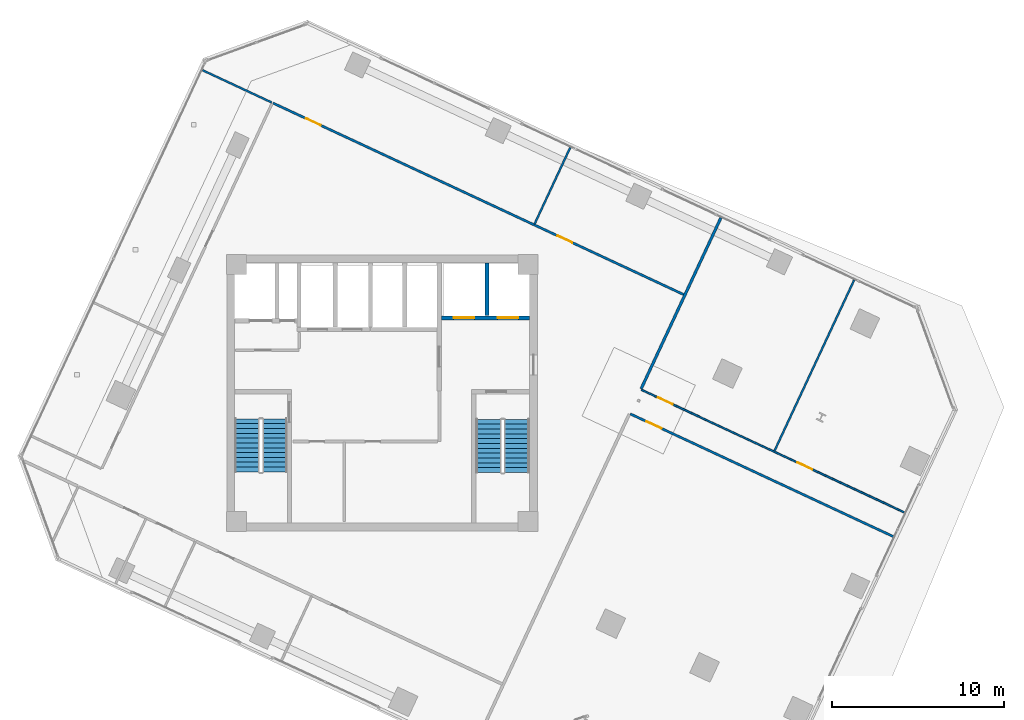
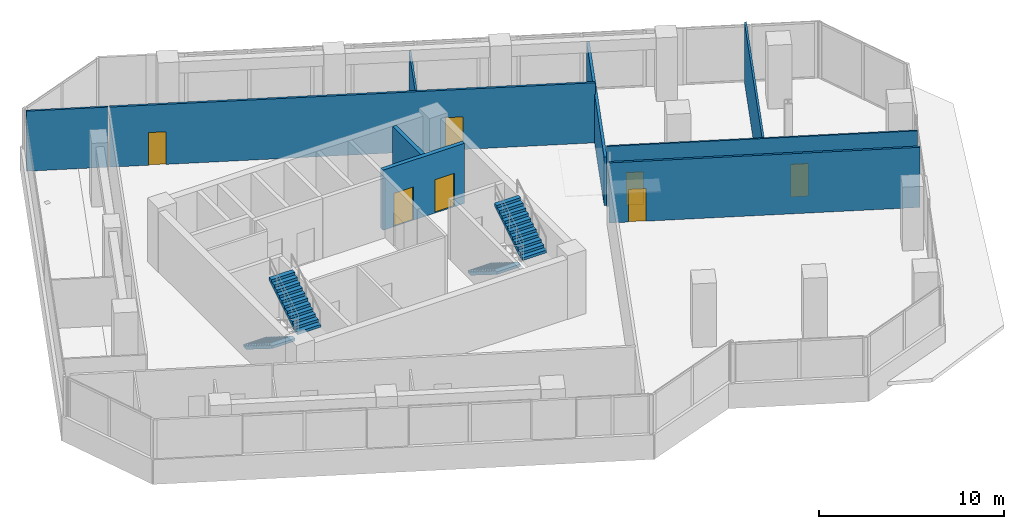
# One storey, part 18 of 23: 9 walls, 7 doors, 4 stair flights, 7 openings, 2 elements without a shape of their own.
"""IFC4 building model written with IfcOpenShell, lengths in metres."""

from ifc_helpers import new_model, si_unit, direction, frame, frame_2d, origin, place, context, subcontext, project, spatial, polyline, rectangle, outline, extrude, source, transform, mapped, material, layer, layer_set, type_object, element, fill, aggregate, save


model = new_model("IFC4")

# Units and contexts
model_context = context("Model", 3, precision=1e-05, world=origin(), true_north=direction((0.0, 1.0)))
body_context = subcontext(model_context, "Body", "Model", "MODEL_VIEW")
ifc_project = project(units=[si_unit("LENGTHUNIT", "METRE"), si_unit("AREAUNIT", "SQUARE_METRE"), si_unit("VOLUMEUNIT", "CUBIC_METRE"), si_unit("PLANEANGLEUNIT", "RADIAN"), si_unit("MASSUNIT", "GRAM", prefix="KILO")], contexts=[model_context])

# Site, building, storey
site_placement = place(None, origin())
site = spatial("IfcSite", under=ifc_project, at=site_placement, CompositionType="ELEMENT")
building_placement = place(site_placement, origin())
building = spatial("IfcBuilding", under=site, at=building_placement, Name="Torre Montelarca", CompositionType="ELEMENT")
storey_placement = place(building_placement, frame((0.0, 0.0, 154.0)))
storey = spatial("IfcBuildingStorey", under=building, at=storey_placement, Name="L34", CompositionType="ELEMENT", Elevation=154.0)

# Wall, openings, doors
ifc_material_1 = material(Name="Concrete C40/50", Category="concrete")
ifc_layer_1 = layer(ifc_material_1, 0.25, Name="Concrete C40/50", Category="concrete")
ifc_layer_set_1 = layer_set([ifc_layer_1], Name="Concrete C40/50")
wall_type_1 = type_object("IfcWallType", Name="CW-SHAFT-250", PredefinedType="SHEAR", material=ifc_layer_set_1)
wall_1_placement = place(storey_placement, frame((21.449951171875, 36.35009765625, 0.0), z_axis=(0.0, 0.0, 1.0), x_axis=(1.0, 0.0, 0.0)))
wall_1 = element("IfcWall", 1, at=wall_1_placement, inside=storey, type_object=wall_type_1, Name="L34 Core Shear Wall SH-FF-S", PredefinedType="SHEAR", context=body_context, shape_type="SweptSolid", body=[
    extrude(rectangle(XDim=5.090087890625, YDim=0.25, at=frame_2d((2.544921875, 0.0))), origin(), (0.0, 0.0, 1.0), 3.9599609375),
])
opening_1_placement = place(wall_1_placement, frame((0.699951171875, 0.0, 0.0)))
opening_1 = element("IfcOpeningElement", 2, at=opening_1_placement, cuts=wall_1, Name="Opening LD-120", PredefinedType="OPENING", context=body_context, shape_type="SweptSolid", body=[
    extrude(rectangle(XDim=1.199951171875, YDim=2.199951171875, at=frame_2d((0.60009765625, 1.10009765625))), frame((0.0, 0.135009765625, 0.0), z_axis=(0.0, -1.0, 0.0), x_axis=(1.0, 0.0, 0.0)), (0.0, 0.0, 1.0), 0.27001953125),
])
opening_2_placement = place(wall_1_placement, frame((3.25, 0.0, 0.0)))
opening_2 = element("IfcOpeningElement", 3, at=opening_2_placement, cuts=wall_1, Name="Opening LD-120", PredefinedType="OPENING", context=body_context, shape_type="SweptSolid", body=[
    extrude(rectangle(XDim=1.199951171875, YDim=2.199951171875, at=frame_2d((0.60009765625, 1.10009765625))), frame((0.0, 0.135009765625, 0.0), z_axis=(0.0, -1.0, 0.0), x_axis=(1.0, 0.0, 0.0)), (0.0, 0.0, 1.0), 0.27001953125),
])
ifc_material_2 = material(Name="Brushed stainless steel AISI 316", Category="steel")
door_type_1 = type_object("IfcDoorType", Name="DR-LIFT-120", OperationType="SLIDING_TO_RIGHT", PredefinedType="DOOR", material=ifc_material_2)
shared_shape_1 = source(origin(), body_context, "Body", "SweptSolid", [
    extrude(rectangle(XDim=1.199951171875, YDim=2.199951171875, at=frame_2d((0.60009765625, 1.10009765625))), frame((0.0, 0.02490234375, 0.0), z_axis=(0.0, -1.0, 0.0), x_axis=(1.0, 0.0, 0.0)), (0.0, 0.0, 1.0), 0.050048828125),
])
door_1_placement = place(opening_1_placement, origin())
door_1 = element("IfcDoor", 4, at=door_1_placement, inside=storey, type_object=door_type_1, Name="L34 Lift Landing Sliding Door FF-1", OperationType="SLIDING_TO_LEFT", OverallHeight=2.199951171875, OverallWidth=1.199951171875, PredefinedType="DOOR", context=body_context, shape_type="MappedRepresentation", body=[
    mapped(shared_shape_1, transform((0.0, 0.0, 0.0), scale=1.0)),
])
fill(opening_1, door_1)
door_2_placement = place(opening_2_placement, origin())
door_2 = element("IfcDoor", 5, at=door_2_placement, inside=storey, type_object=door_type_1, Name="L34 Lift Landing Sliding Door FF-2", OperationType="SLIDING_TO_RIGHT", OverallHeight=2.199951171875, OverallWidth=1.199951171875, PredefinedType="DOOR", context=body_context, shape_type="MappedRepresentation", body=[
    mapped(shared_shape_1, transform((0.0, 0.0, 0.0), scale=1.0)),
])
fill(opening_2, door_2)

# Walls
wall_2_placement = place(storey_placement, frame((24.080078125, 36.47998046875, 0.0), z_axis=(0.0, 0.0, 1.0), x_axis=(0.0, 1.0, 0.0)))
element("IfcWall", 6, at=wall_2_placement, inside=storey, type_object=wall_type_1, Name="L34 Core Shear Wall SH-FF-M", PredefinedType="SHEAR", context=body_context, shape_type="SweptSolid", body=[
    extrude(rectangle(XDim=3.06005859375, YDim=0.25, at=frame_2d((1.530029296875, 0.0))), origin(), (0.0, 0.0, 1.0), 3.9599609375),
])
ifc_material_3 = material(Name="Gypsum plasterboard on steel stud", Category="steel")
ifc_layer_2 = layer(ifc_material_3, 0.159912109375, Name="Gypsum plasterboard on steel stud", Category="steel")
ifc_layer_set_2 = layer_set([ifc_layer_2], Name="Gypsum plasterboard on steel stud")
wall_type_2 = type_object("IfcWallType", Name="PW-FIRE-160", PredefinedType="PARTITIONING", material=ifc_layer_set_2)
wall_3_placement = place(storey_placement, frame((33.01806640625, 32.234130859375, 0.0), z_axis=(0.0, 0.0, 1.0), x_axis=(0.422624006235, 0.906305108313, 0.0)))
element("IfcWall", 7, at=wall_3_placement, inside=storey, type_object=wall_type_2, Name="L34 Interior Partition W-L34-ECN", PredefinedType="PARTITIONING", context=body_context, shape_type="SweptSolid", body=[
    extrude(rectangle(XDim=10.940185546875, YDim=0.159912109375, at=frame_2d((5.47021484375, 0.0))), origin(), (0.0, 0.0, 1.0), 3.195068359375),
])

# Wall, openings, doors
ifc_material_4 = material(Name="Acoustic laminated glass partition", Category="glass")
ifc_layer_3 = layer(ifc_material_4, 0.10009765625, Name="Acoustic laminated glass partition", Category="glass")
ifc_layer_set_3 = layer_set([ifc_layer_3], Name="Acoustic laminated glass partition")
wall_type_3 = type_object("IfcWallType", Name="PW-GLAZ-100", PredefinedType="PARTITIONING", material=ifc_layer_set_3)
wall_4_placement = place(storey_placement, frame((33.03759765625, 32.180908203125, 0.0), z_axis=(0.0, 0.0, 1.0), x_axis=(0.906309400931, -0.422614800716, 0.0)))
wall_4 = element("IfcWall", 8, at=wall_4_placement, inside=storey, type_object=wall_type_3, Name="L34 Interior Partition W-L34-NE-S", PredefinedType="PARTITIONING", context=body_context, shape_type="SweptSolid", body=[
    extrude(rectangle(XDim=16.839599609375, YDim=0.10009765625, at=frame_2d((8.419921875, 0.0))), origin(), (0.0, 0.0, 1.0), 3.9599609375),
])
opening_3_placement = place(wall_4_placement, frame((1.050048828125, 0.0, 0.0)))
opening_3 = element("IfcOpeningElement", 9, at=opening_3_placement, cuts=wall_4, Name="Opening ID-095", PredefinedType="OPENING", context=body_context, shape_type="SweptSolid", body=[
    extrude(rectangle(XDim=0.949951171875, YDim=2.14990234375, at=frame_2d((0.47509765625, 1.074951171875))), frame((0.0, 0.06005859375, 0.0), z_axis=(0.0, -1.0, 0.0), x_axis=(1.0, 0.0, 0.0)), (0.0, 0.0, 1.0), 0.1201171875),
])
opening_4_placement = place(wall_4_placement, frame((9.97998046875, 0.0, 0.0)))
opening_4 = element("IfcOpeningElement", 10, at=opening_4_placement, cuts=wall_4, Name="Opening ID-095", PredefinedType="OPENING", context=body_context, shape_type="SweptSolid", body=[
    extrude(rectangle(XDim=0.949951171875, YDim=2.14990234375, at=frame_2d((0.47509765625, 1.074951171875))), frame((0.0, 0.06005859375, 0.0), z_axis=(0.0, -1.0, 0.0), x_axis=(1.0, 0.0, 0.0)), (0.0, 0.0, 1.0), 0.1201171875),
])
ifc_material_5 = material(Name="Hardwood acoustic timber veneer", Category="wood")
door_type_2 = type_object("IfcDoorType", Name="DR-INT-095", OperationType="NOTDEFINED", PredefinedType="DOOR", material=ifc_material_5)
shared_shape_2 = source(origin(), body_context, "Body", "SweptSolid", [
    extrude(rectangle(XDim=0.949951171875, YDim=2.14990234375, at=frame_2d((0.47509765625, 1.074951171875))), frame((0.0, 0.02490234375, 0.0), z_axis=(0.0, -1.0, 0.0), x_axis=(1.0, 0.0, 0.0)), (0.0, 0.0, 1.0), 0.050048828125),
])
door_3_placement = place(opening_3_placement, origin())
door_3 = element("IfcDoor", 11, at=door_3_placement, inside=storey, type_object=door_type_2, Name="L34 Interior Door 12", OperationType="SINGLE_SWING_LEFT", OverallHeight=2.14990234375, OverallWidth=0.949951171875, PredefinedType="DOOR", context=body_context, shape_type="MappedRepresentation", body=[
    mapped(shared_shape_2, transform((0.0, 0.0, 0.0), scale=1.0)),
])
fill(opening_3, door_3)
door_4_placement = place(opening_4_placement, origin())
door_4 = element("IfcDoor", 12, at=door_4_placement, inside=storey, type_object=door_type_2, Name="L34 Interior Door 13", OperationType="SINGLE_SWING_RIGHT", OverallHeight=2.14990234375, OverallWidth=0.949951171875, PredefinedType="DOOR", context=body_context, shape_type="MappedRepresentation", body=[
    mapped(shared_shape_2, transform((0.0, 0.0, 0.0), scale=1.0)),
])
fill(opening_4, door_4)

# Walls
ifc_layer_4 = layer(ifc_material_3, 0.114990234375, Name="Gypsum plasterboard on steel stud", Category="steel")
ifc_layer_set_4 = layer_set([ifc_layer_4], Name="Gypsum plasterboard on steel stud")
wall_type_4 = type_object("IfcWallType", Name="PW-PART-115", PredefinedType="PARTITIONING", material=ifc_layer_set_4)
wall_5_placement = place(storey_placement, frame((26.833984375, 41.782470703125, 0.0), z_axis=(0.0, 0.0, 1.0), x_axis=(0.422631768009, 0.906301488838, 0.0)))
element("IfcWall", 13, at=wall_5_placement, inside=storey, type_object=wall_type_4, Name="L34 Interior Partition W-L34-NDIV-1", PredefinedType="PARTITIONING", context=body_context, shape_type="SweptSolid", body=[
    extrude(rectangle(XDim=4.899658203125, YDim=0.114990234375, at=frame_2d((2.44970703125, 0.0))), origin(), (0.0, 0.0, 1.0), 3.195068359375),
])
wall_6_placement = place(storey_placement, frame((7.585205078125, 50.714111328125, 0.0), z_axis=(0.0, 0.0, 1.0), x_axis=(0.906295742894, -0.422644089526, 0.0)))
element("IfcWall", 14, at=wall_6_placement, inside=storey, type_object=wall_type_4, Name="L34 Interior Partition W-L34-WWGN", PredefinedType="PARTITIONING", context=body_context, shape_type="SweptSolid", body=[
    extrude(rectangle(XDim=4.429931640625, YDim=0.114990234375, at=frame_2d((2.21484375, 0.0))), origin(), (0.0, 0.0, 1.0), 3.9599609375),
])
wall_7_placement = place(storey_placement, frame((40.748779296875, 28.62939453125, 0.0), z_axis=(0.0, 0.0, 1.0), x_axis=(0.422632554077, 0.906301122274, 0.0)))
element("IfcWall", 15, at=wall_7_placement, inside=storey, type_object=wall_type_4, Name="L34 Interior Partition W-L34-NEDIV-1", PredefinedType="PARTITIONING", context=body_context, shape_type="SweptSolid", body=[
    extrude(rectangle(XDim=10.93994140625, YDim=0.114990234375, at=frame_2d((5.469970703125, 0.0))), origin(), (0.0, 0.0, 1.0), 3.9599609375),
])

# Wall, openings, doors
ifc_layer_5 = layer(ifc_material_3, 0.135009765625, Name="Gypsum plasterboard on steel stud", Category="steel")
ifc_layer_set_5 = layer_set([ifc_layer_5], Name="Gypsum plasterboard on steel stud")
wall_type_5 = type_object("IfcWallType", Name="PW-PART-135", PredefinedType="PARTITIONING", material=ifc_layer_set_5)
wall_8_placement = place(storey_placement, frame((11.672607421875, 48.80810546875, 0.0), z_axis=(0.0, 0.0, 1.0), x_axis=(0.906307085664, -0.422619765836, 0.0)))
wall_8 = element("IfcWall", 16, at=wall_8_placement, inside=storey, type_object=wall_type_5, Name="L34 Interior Partition W-L34-NBOT", PredefinedType="PARTITIONING", context=body_context, shape_type="SweptSolid", body=[
    extrude(rectangle(XDim=26.31005859375, YDim=0.135009765625, at=frame_2d((13.155029296875, 0.0))), origin(), (0.0, 0.0, 1.0), 3.9599609375),
])
opening_5_placement = place(wall_8_placement, frame((2.10009765625, 0.0, 0.0)))
opening_5 = element("IfcOpeningElement", 17, at=opening_5_placement, cuts=wall_8, Name="Opening ID-095", PredefinedType="OPENING", context=body_context, shape_type="SweptSolid", body=[
    extrude(rectangle(XDim=0.949951171875, YDim=2.14990234375, at=frame_2d((0.47509765625, 1.074951171875))), frame((0.0, 0.07763671875, 0.0), z_axis=(0.0, -1.0, 0.0), x_axis=(1.0, 0.0, 0.0)), (0.0, 0.0, 1.0), 0.155029296875),
])
opening_6_placement = place(wall_8_placement, frame((18.199951171875, 0.0, 0.0)))
opening_6 = element("IfcOpeningElement", 18, at=opening_6_placement, cuts=wall_8, Name="Opening ID-095", PredefinedType="OPENING", context=body_context, shape_type="SweptSolid", body=[
    extrude(rectangle(XDim=0.949951171875, YDim=2.14990234375, at=frame_2d((0.47509765625, 1.074951171875))), frame((0.0, 0.07763671875, 0.0), z_axis=(0.0, -1.0, 0.0), x_axis=(1.0, 0.0, 0.0)), (0.0, 0.0, 1.0), 0.155029296875),
])
door_5_placement = place(opening_5_placement, origin())
door_5 = element("IfcDoor", 19, at=door_5_placement, inside=storey, type_object=door_type_2, Name="L34 Interior Door 08", OperationType="SINGLE_SWING_LEFT", OverallHeight=2.14990234375, OverallWidth=0.949951171875, PredefinedType="DOOR", context=body_context, shape_type="MappedRepresentation", body=[
    mapped(shared_shape_2, transform((0.0, 0.0, 0.0), scale=1.0)),
])
fill(opening_5, door_5)
door_6_placement = place(opening_6_placement, origin())
door_6 = element("IfcDoor", 20, at=door_6_placement, inside=storey, type_object=door_type_2, Name="L34 Interior Door 09", OperationType="SINGLE_SWING_RIGHT", OverallHeight=2.14990234375, OverallWidth=0.949951171875, PredefinedType="DOOR", context=body_context, shape_type="MappedRepresentation", body=[
    mapped(shared_shape_2, transform((0.0, 0.0, 0.0), scale=1.0)),
])
fill(opening_6, door_6)

# Wall, opening, door
wall_9_placement = place(storey_placement, frame((32.38671875, 30.785400390625, 0.0), z_axis=(0.0, 0.0, 1.0), x_axis=(0.906303847891, -0.422626709163, 0.0)))
wall_9 = element("IfcWall", 21, at=wall_9_placement, inside=storey, type_object=wall_type_5, Name="L34 Interior Partition W-L34-SE-N", PredefinedType="PARTITIONING", context=body_context, shape_type="SweptSolid", body=[
    extrude(rectangle(XDim=16.83984375, YDim=0.135009765625, at=frame_2d((8.419921875, 0.0))), origin(), (0.0, 0.0, 1.0), 3.9599609375),
])
opening_7_placement = place(wall_9_placement, frame((1.050048828125, 0.0, 0.0)))
opening_7 = element("IfcOpeningElement", 22, at=opening_7_placement, cuts=wall_9, Name="Opening ID-095", PredefinedType="OPENING", context=body_context, shape_type="SweptSolid", body=[
    extrude(rectangle(XDim=0.949951171875, YDim=2.14990234375, at=frame_2d((0.47509765625, 1.074951171875))), frame((0.0, 0.07763671875, 0.0), z_axis=(0.0, -1.0, 0.0), x_axis=(1.0, 0.0, 0.0)), (0.0, 0.0, 1.0), 0.155029296875),
])
door_7_placement = place(opening_7_placement, origin())
door_7 = element("IfcDoor", 23, at=door_7_placement, inside=storey, type_object=door_type_2, Name="L34 Interior Door 14", OperationType="SINGLE_SWING_LEFT", OverallHeight=2.14990234375, OverallWidth=0.949951171875, PredefinedType="DOOR", context=body_context, shape_type="MappedRepresentation", body=[
    mapped(shared_shape_2, transform((0.0, 0.0, 0.0), scale=1.0)),
])
fill(opening_7, door_7)

# Stair, stair flights
stair_type_1 = type_object("IfcStairType", Name="ST-CORE-ST1", PredefinedType="HALF_TURN_STAIR", material=ifc_material_1)
stair_1_placement = place(storey_placement, origin())
stair_1 = element("IfcStair", 24, at=stair_1_placement, inside=storey, type_object=stair_type_1, Name="L34 Protected Exit Stair ST1", PredefinedType="HALF_TURN_STAIR")
stair_flight_type_1 = type_object("IfcStairFlightType", Name="SFL-CORE-ST1", PredefinedType="STRAIGHT", material=ifc_material_1)
stair_flight_1_placement = place(storey_placement, frame((10.175048828125, 30.5, 0.0), z_axis=(0.0, 0.0, 1.0), x_axis=(0.0, -1.0, 0.0)))
stair_flight_1 = element("IfcStairFlight", 25, at=stair_flight_1_placement, type_object=stair_flight_type_1, Name="ST1 flight 1", NumberOfRisers=12, NumberOfTreads=11, PredefinedType="STRAIGHT", RiserHeight=0.175, TreadLength=0.28, context=body_context, shape_type="SweptSolid", body=[
    extrude(outline(polyline([(0.0, 0.0), (0.0, 0.175048828125), (0.280029296875, 0.175048828125), (0.280029296875, 0.35009765625), (0.56005859375, 0.35009765625), (0.56005859375, 0.52490234375), (0.840087890625, 0.52490234375), (0.840087890625, 0.699951171875), (1.1201171875, 0.699951171875), (1.1201171875, 0.875), (1.39990234375, 0.875), (1.39990234375, 1.050048828125), (1.679931640625, 1.050048828125), (1.679931640625, 1.22509765625), (1.9599609375, 1.22509765625), (1.9599609375, 1.39990234375), (2.239990234375, 1.39990234375), (2.239990234375, 1.574951171875), (2.52001953125, 1.574951171875), (2.52001953125, 1.75), (2.800048828125, 1.75), (2.800048828125, 1.925048828125), (3.080078125, 1.925048828125), (3.080078125, 2.10009765625), (3.080078125, 1.748291015625), (0.28271484375, 0.0), (0.0, 0.0)])), frame((0.0, 0.72509765625, 0.0), z_axis=(0.0, -1.0, 0.0), x_axis=(1.0, 0.0, 0.0)), (0.0, 0.0, 1.0), 1.449951171875),
])
stair_flight_2_placement = place(storey_placement, frame((11.77490234375, 27.419921875, 2.10009765625), z_axis=(0.0, 0.0, 1.0), x_axis=(0.0, 1.0, 0.0)))
stair_flight_2 = element("IfcStairFlight", 26, at=stair_flight_2_placement, type_object=stair_flight_type_1, Name="ST1 flight 2", NumberOfRisers=12, NumberOfTreads=11, PredefinedType="STRAIGHT", RiserHeight=0.175, TreadLength=0.28, context=body_context, shape_type="SweptSolid", body=[
    extrude(outline(polyline([(0.0, 0.0), (0.0, 0.175048828125), (0.280029296875, 0.175048828125), (0.280029296875, 0.35009765625), (0.56005859375, 0.35009765625), (0.56005859375, 0.52490234375), (0.840087890625, 0.52490234375), (0.840087890625, 0.699951171875), (1.1201171875, 0.699951171875), (1.1201171875, 0.875), (1.39990234375, 0.875), (1.39990234375, 1.050048828125), (1.679931640625, 1.050048828125), (1.679931640625, 1.22509765625), (1.9599609375, 1.22509765625), (1.9599609375, 1.39990234375), (2.239990234375, 1.39990234375), (2.239990234375, 1.574951171875), (2.52001953125, 1.574951171875), (2.52001953125, 1.75), (2.800048828125, 1.75), (2.800048828125, 1.925048828125), (3.080078125, 1.925048828125), (3.080078125, 2.10009765625), (3.080078125, 1.748291015625), (0.28271484375, 0.0), (0.0, 0.0)])), frame((0.0, 0.72509765625, 0.0), z_axis=(0.0, -1.0, 0.0), x_axis=(1.0, 0.0, 0.0)), (0.0, 0.0, 1.0), 1.449951171875),
])
aggregate(stair_1, [stair_flight_1, stair_flight_2])

stair_type_2 = type_object("IfcStairType", Name="ST-CORE-ST2", PredefinedType="HALF_TURN_STAIR", material=ifc_material_1)
stair_2_placement = place(storey_placement, origin())
stair_2 = element("IfcStair", 27, at=stair_2_placement, inside=storey, type_object=stair_type_2, Name="L34 Protected Exit Stair ST2", PredefinedType="HALF_TURN_STAIR")
stair_flight_type_2 = type_object("IfcStairFlightType", Name="SFL-CORE-ST2", PredefinedType="STRAIGHT", material=ifc_material_1)
stair_flight_3_placement = place(storey_placement, frame((24.179931640625, 30.469970703125, 0.0), z_axis=(0.0, 0.0, 1.0), x_axis=(0.0, -1.0, 0.0)))
stair_flight_3 = element("IfcStairFlight", 28, at=stair_flight_3_placement, type_object=stair_flight_type_2, Name="ST2 flight 1", NumberOfRisers=12, NumberOfTreads=11, PredefinedType="STRAIGHT", RiserHeight=0.175, TreadLength=0.28, context=body_context, shape_type="SweptSolid", body=[
    extrude(outline(polyline([(0.0, 0.0), (0.0, 0.175048828125), (0.280029296875, 0.175048828125), (0.280029296875, 0.35009765625), (0.56005859375, 0.35009765625), (0.56005859375, 0.52490234375), (0.840087890625, 0.52490234375), (0.840087890625, 0.699951171875), (1.1201171875, 0.699951171875), (1.1201171875, 0.875), (1.39990234375, 0.875), (1.39990234375, 1.050048828125), (1.679931640625, 1.050048828125), (1.679931640625, 1.22509765625), (1.9599609375, 1.22509765625), (1.9599609375, 1.39990234375), (2.239990234375, 1.39990234375), (2.239990234375, 1.574951171875), (2.52001953125, 1.574951171875), (2.52001953125, 1.75), (2.800048828125, 1.75), (2.800048828125, 1.925048828125), (3.080078125, 1.925048828125), (3.080078125, 2.10009765625), (3.080078125, 1.748291015625), (0.28271484375, 0.0), (0.0, 0.0)])), frame((0.0, 0.739990234375, 0.0), z_axis=(0.0, -1.0, 0.0), x_axis=(1.0, 0.0, 0.0)), (0.0, 0.0, 1.0), 1.47998046875),
])
stair_flight_4_placement = place(storey_placement, frame((25.81005859375, 27.389892578125, 2.10009765625), z_axis=(0.0, 0.0, 1.0), x_axis=(0.0, 1.0, 0.0)))
stair_flight_4 = element("IfcStairFlight", 29, at=stair_flight_4_placement, type_object=stair_flight_type_2, Name="ST2 flight 2", NumberOfRisers=12, NumberOfTreads=11, PredefinedType="STRAIGHT", RiserHeight=0.175, TreadLength=0.28, context=body_context, shape_type="SweptSolid", body=[
    extrude(outline(polyline([(0.0, 0.0), (0.0, 0.175048828125), (0.280029296875, 0.175048828125), (0.280029296875, 0.35009765625), (0.56005859375, 0.35009765625), (0.56005859375, 0.52490234375), (0.840087890625, 0.52490234375), (0.840087890625, 0.699951171875), (1.1201171875, 0.699951171875), (1.1201171875, 0.875), (1.39990234375, 0.875), (1.39990234375, 1.050048828125), (1.679931640625, 1.050048828125), (1.679931640625, 1.22509765625), (1.9599609375, 1.22509765625), (1.9599609375, 1.39990234375), (2.239990234375, 1.39990234375), (2.239990234375, 1.574951171875), (2.52001953125, 1.574951171875), (2.52001953125, 1.75), (2.800048828125, 1.75), (2.800048828125, 1.925048828125), (3.080078125, 1.925048828125), (3.080078125, 2.10009765625), (3.080078125, 1.748291015625), (0.28271484375, 0.0), (0.0, 0.0)])), frame((0.0, 0.739990234375, 0.0), z_axis=(0.0, -1.0, 0.0), x_axis=(1.0, 0.0, 0.0)), (0.0, 0.0, 1.0), 1.47998046875),
])
aggregate(stair_2, [stair_flight_3, stair_flight_4])

save(model, "model.ifc")
